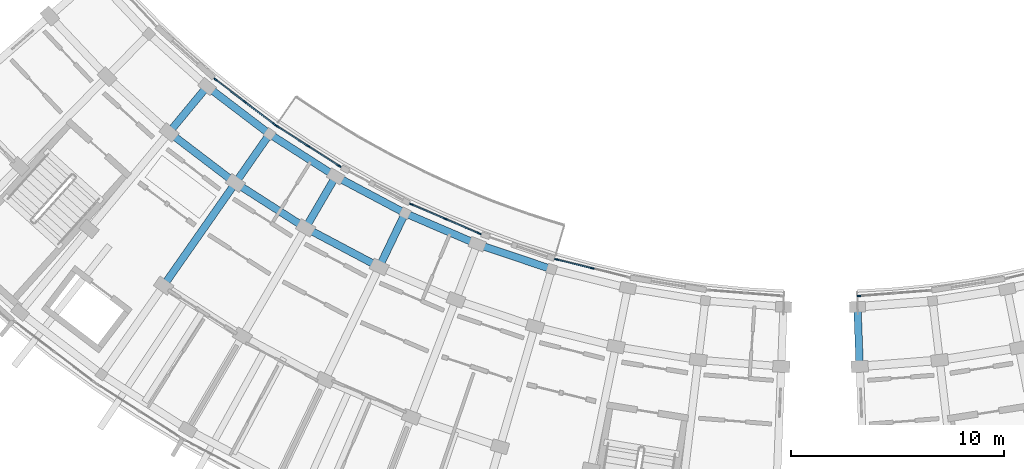
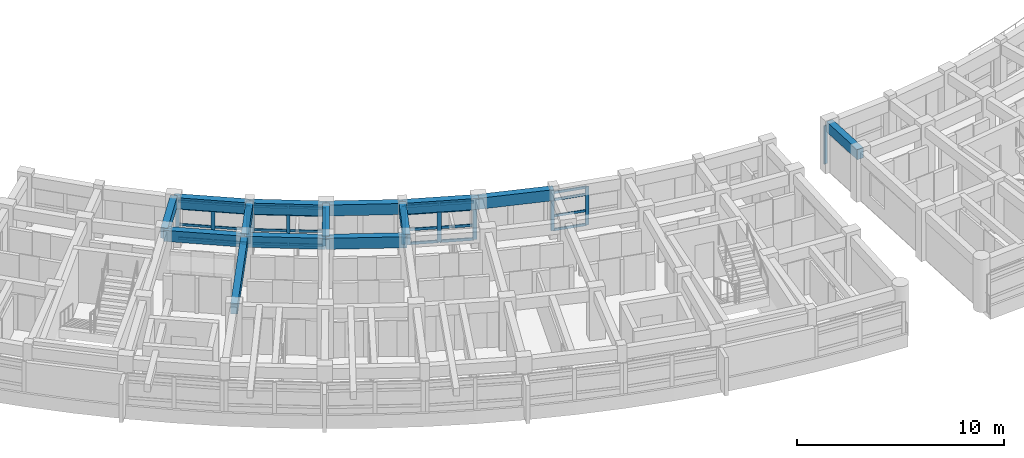
# One storey, part 13 of 56: 40 members, 14 beams, 5 elements without a shape of their own.
"""IFC4 building model written with IfcOpenShell, lengths in metres."""

from ifc_helpers import new_model, si_unit, direction, frame, origin, origin_2d, place, context, subcontext, project, spatial, rectangle, extrude, material, material_profile, profile_set, type_object, element, aggregate, save


model = new_model("IFC4")

# Units and contexts
model_context = context("Model", 3, precision=1e-05, world=origin(), true_north=direction((0.0, 1.0)))
body_context = subcontext(model_context, "Body", "Model", "MODEL_VIEW")
ifc_project = project(units=[si_unit("LENGTHUNIT", "METRE"), si_unit("AREAUNIT", "SQUARE_METRE"), si_unit("VOLUMEUNIT", "CUBIC_METRE"), si_unit("PLANEANGLEUNIT", "RADIAN"), si_unit("MASSUNIT", "GRAM", prefix="KILO")], contexts=[model_context])

# Site, building, storey
site_placement = place(None, origin())
site = spatial("IfcSite", under=ifc_project, at=site_placement, CompositionType="ELEMENT")
building_placement = place(site_placement, origin())
building = spatial("IfcBuilding", under=site, at=building_placement, Name="Zimvara Arc Housing Community", CompositionType="ELEMENT")
storey_placement = place(building_placement, frame((0.0, 0.0, 17.39990234375)))
storey = spatial("IfcBuildingStorey", under=building, at=storey_placement, Name="L05", CompositionType="ELEMENT", Elevation=17.39990234375)

# Beams
ifc_material_1 = material(Name="Concrete C40/50", Category="concrete")
ifc_material_profile_1 = material_profile(ifc_material_1, rectangle(XDim=0.35009765625, YDim=0.60009765625, at=origin_2d()), Name="RC 350x600")
ifc_profile_set_1 = profile_set([ifc_material_profile_1], Name="Concrete C40/50")
beam_type_1 = type_object("IfcBeamType", Name="BM-RC-350x600", PredefinedType="BEAM", material=ifc_profile_set_1)
beam_1_placement = place(storey_placement, frame((97.195068359375, 75.114501953125, 2.570068359375), z_axis=(-0.637917412223, -0.770104781951, 0.0), x_axis=(0.770104781951, -0.637917412223, 0.0)))
element("IfcBeam", 1, at=beam_1_placement, inside=storey, type_object=beam_type_1, Name="bm:blkC:L05:rad:b2:r01", PredefinedType="BEAM", context=body_context, shape_type="SweptSolid", body=[
    extrude(rectangle(XDim=0.35009765625, YDim=0.60009765625, at=origin_2d()), origin(), (0.0, 0.0, 1.0), 2.800048828125),
])
beam_2_placement = place(storey_placement, frame((100.1259765625, 72.8818359375, 2.570068359375), z_axis=(-0.57297651105, -0.819571789281, 0.0), x_axis=(0.819571789281, -0.57297651105, 0.0)))
element("IfcBeam", 2, at=beam_2_placement, inside=storey, type_object=beam_type_1, Name="bm:blkC:L05:rad:b3:r01", PredefinedType="BEAM", context=body_context, shape_type="SweptSolid", body=[
    extrude(rectangle(XDim=0.35009765625, YDim=0.60009765625, at=origin_2d()), origin(), (0.0, 0.0, 1.0), 2.7998046875),
])
beam_3_placement = place(storey_placement, frame((98.521728515625, 70.587158203125, 2.570068359375), z_axis=(-0.57300805165, -0.81954973781, 0.0), x_axis=(0.81954973781, -0.57300805165, 0.0)))
element("IfcBeam", 3, at=beam_3_placement, inside=storey, type_object=beam_type_1, Name="bm:blkC:L05:rad:b3:r12", PredefinedType="BEAM", context=body_context, shape_type="SweptSolid", body=[
    extrude(rectangle(XDim=0.35009765625, YDim=0.60009765625, at=origin_2d()), origin(), (0.0, 0.0, 1.0), 5.880126953125),
])
beam_4_placement = place(storey_placement, frame((103.229248046875, 70.895751953125, 2.570068359375), z_axis=(-0.504201666262, -0.8635859423, 0.0), x_axis=(0.8635859423, -0.504201666262, 0.0)))
element("IfcBeam", 4, at=beam_4_placement, inside=storey, type_object=beam_type_1, Name="bm:blkC:L05:rad:b4:r01", PredefinedType="BEAM", context=body_context, shape_type="SweptSolid", body=[
    extrude(rectangle(XDim=0.35009765625, YDim=0.60009765625, at=origin_2d()), origin(), (0.0, 0.0, 1.0), 2.80029296875),
])
beam_5_placement = place(storey_placement, frame((106.484375, 69.16943359375, 2.570068359375), z_axis=(-0.432118703138, -0.901816736593, 0.0), x_axis=(0.901816736593, -0.432118703138, 0.0)))
element("IfcBeam", 5, at=beam_5_placement, inside=storey, type_object=beam_type_1, Name="bm:blkC:L05:rad:b5:r01", PredefinedType="BEAM", context=body_context, shape_type="SweptSolid", body=[
    extrude(rectangle(XDim=0.35009765625, YDim=0.60009765625, at=origin_2d()), origin(), (0.0, 0.0, 1.0), 2.800048828125),
])
beam_6_placement = place(storey_placement, frame((127.712158203125, 64.773193359375, 2.570068359375), z_axis=(0.038366147405, -0.999263748333, 0.0), x_axis=(0.999263748333, 0.038366147405, 0.0)))
element("IfcBeam", 6, at=beam_6_placement, inside=storey, type_object=beam_type_1, Name="bm:blkD:L05:rad:b0:r01", PredefinedType="BEAM", context=body_context, shape_type="SweptSolid", body=[
    extrude(rectangle(XDim=0.35009765625, YDim=0.60009765625, at=origin_2d()), origin(), (0.0, 0.0, 1.0), 2.7998046875),
])
ifc_material_2 = material(Name="Concrete C40/50", Category="concrete")
ifc_material_profile_2 = material_profile(ifc_material_2, rectangle(XDim=0.35009765625, YDim=0.64990234375, at=origin_2d()), Name="RC 350x650")
ifc_profile_set_2 = profile_set([ifc_material_profile_2], Name="Concrete C40/50")
beam_type_2 = type_object("IfcBeamType", Name="BM-RC-350x650", PredefinedType="BEAM", material=ifc_profile_set_2)
for number, where, z_axis, x_axis, name in (
    (7, (97.195068359375, 75.114501953125, 2.545166015625), (0.795484955371, -0.605973337515, 0.0), (0.605973337515, 0.795484955371, 0.0), "bm:blkC:L05:chord:r0:b2"),
    (8, (100.1259765625, 72.8818359375, 2.545166015625), (0.842272604079, -0.539051816079, 0.0), (0.539051816079, 0.842272604079, 0.0), "bm:blkC:L05:chord:r0:b3"),
):
    element("IfcBeam", number, at=place(storey_placement, frame(where, z_axis=z_axis, x_axis=x_axis)), inside=storey, type_object=beam_type_2, Name=name, PredefinedType="BEAM", context=body_context, shape_type="SweptSolid", body=[
        extrude(rectangle(XDim=0.35009765625, YDim=0.64990234375, at=origin_2d()), origin(), (0.0, 0.0, 1.0), 3.684326171875),
    ])
for number, where, z_axis, x_axis, name in (
    (9, (103.229248046875, 70.895751953125, 2.545166015625), (0.883449220086, -0.468526920815, 0.0), (0.468526920815, 0.883449220086, 0.0), "bm:blkC:L05:chord:r0:b4"),
    (10, (106.484375, 69.16943359375, 2.545166015625), (0.918716071386, -0.394918700718, 0.0), (0.394918700718, 0.918716071386, 0.0), "bm:blkC:L05:chord:r0:b5"),
):
    element("IfcBeam", number, at=place(storey_placement, frame(where, z_axis=z_axis, x_axis=x_axis)), inside=storey, type_object=beam_type_2, Name=name, PredefinedType="BEAM", context=body_context, shape_type="SweptSolid", body=[
        extrude(rectangle(XDim=0.35009765625, YDim=0.64990234375, at=origin_2d()), origin(), (0.0, 0.0, 1.0), 3.6845703125),
    ])
beam_7_placement = place(storey_placement, frame((109.869384765625, 67.71435546875, 2.545166015625), z_axis=(0.947865078275, -0.31867192124, 0.0), x_axis=(0.31867192124, 0.947865078275, 0.0)))
element("IfcBeam", 11, at=beam_7_placement, inside=storey, type_object=beam_type_2, Name="bm:blkC:L05:chord:r0:b6", PredefinedType="BEAM", context=body_context, shape_type="SweptSolid", body=[
    extrude(rectangle(XDim=0.35009765625, YDim=0.64990234375, at=origin_2d()), origin(), (0.0, 0.0, 1.0), 3.684326171875),
])
for number, where, z_axis, x_axis, name in (
    (12, (95.408935546875, 72.958251953125, 2.545166015625), (0.795500462697, -0.605952979899, 0.0), (0.605952979899, 0.795500462697, 0.0), "bm:blkC:L05:chord:r1:b2"),
    (13, (98.521728515625, 70.587158203125, 2.545166015625), (0.842224940184, -0.53912628403, 0.0), (0.53912628403, 0.842224940184, 0.0), "bm:blkC:L05:chord:r1:b3"),
    (14, (101.8173828125, 68.4775390625, 2.545166015625), (0.883464449706, -0.468498202884, 0.0), (0.468498202884, 0.883464449706, 0.0), "bm:blkC:L05:chord:r1:b4"),
):
    element("IfcBeam", number, at=place(storey_placement, frame(where, z_axis=z_axis, x_axis=x_axis)), inside=storey, type_object=beam_type_2, Name=name, PredefinedType="BEAM", context=body_context, shape_type="SweptSolid", body=[
        extrude(rectangle(XDim=0.35009765625, YDim=0.64990234375, at=origin_2d()), origin(), (0.0, 0.0, 1.0), 3.9130859375),
    ])

# Curtain wall, members
ifc_material_3 = material(Name="Anodised Aluminium AW-6063", Category="aluminium")
curtain_wall_type_1 = type_object("IfcCurtainWallType", Name="CW-SYS-02", PredefinedType="USERDEFINED", material=ifc_material_3)
curtain_wall_1_placement = place(storey_placement, origin())
curtain_wall_1 = element("IfcCurtainWall", 15, at=curtain_wall_1_placement, inside=storey, type_object=curtain_wall_type_1, Name="cw:blkC:L05:in:b2", ObjectType="CURTAIN WALL", PredefinedType="USERDEFINED")
ifc_material_4 = material(Name="Anodised Aluminium AW-6063", Category="aluminium")
ifc_material_profile_3 = material_profile(ifc_material_4, rectangle(XDim=0.06494140625, YDim=0.179931640625, at=origin_2d()), Name="ALU 65x180")
ifc_profile_set_3 = profile_set([ifc_material_profile_3], Name="Anodised Aluminium AW-6063")
member_type_1 = type_object("IfcMemberType", Name="CWM-65x150", PredefinedType="MULLION", material=ifc_profile_set_3)
member_1_placement = place(storey_placement, frame((97.587646484375, 75.443603515625, 0.0), z_axis=(0.0, 0.0, 1.0), x_axis=(0.605988318533, 0.795473543119, 0.0)))
member_1 = element("IfcMember", 16, at=member_1_placement, type_object=member_type_1, Name="CW02 mullion 1", PredefinedType="MULLION", context=body_context, shape_type="SweptSolid", body=[
    extrude(rectangle(XDim=0.06494140625, YDim=0.179931640625, at=origin_2d()), origin(), (0.0, 0.0, 1.0), 2.25),
])
member_2_placement = place(storey_placement, frame((98.96337890625, 74.3955078125, 0.0), z_axis=(0.0, 0.0, 1.0), x_axis=(0.605988318533, 0.795473543119, 0.0)))
member_2 = element("IfcMember", 17, at=member_2_placement, type_object=member_type_1, Name="CW02 mullion 2", PredefinedType="MULLION", context=body_context, shape_type="SweptSolid", body=[
    extrude(rectangle(XDim=0.06494140625, YDim=0.179931640625, at=origin_2d()), origin(), (0.0, 0.0, 1.0), 2.25),
])
member_3_placement = place(storey_placement, frame((100.3388671875, 73.34765625, 0.0), z_axis=(0.0, 0.0, 1.0), x_axis=(0.605988318533, 0.795473543119, 0.0)))
member_3 = element("IfcMember", 18, at=member_3_placement, type_object=member_type_1, Name="CW02 mullion 3", PredefinedType="MULLION", context=body_context, shape_type="SweptSolid", body=[
    extrude(rectangle(XDim=0.06494140625, YDim=0.179931640625, at=origin_2d()), origin(), (0.0, 0.0, 1.0), 2.25),
])

ifc_material_5 = material(Name="Anodised Aluminium AW-6063", Category="aluminium")
curtain_wall_type_2 = type_object("IfcCurtainWallType", Name="CW-SYS-04", PredefinedType="USERDEFINED", material=ifc_material_5)
curtain_wall_2_placement = place(storey_placement, origin())
curtain_wall_2 = element("IfcCurtainWall", 19, at=curtain_wall_2_placement, inside=storey, type_object=curtain_wall_type_2, Name="cw:blkC:L05:in:b3", ObjectType="CURTAIN WALL", PredefinedType="USERDEFINED")
member_4_placement = place(storey_placement, frame((100.490478515625, 73.24169921875, 0.0), z_axis=(0.0, 0.0, 1.0), x_axis=(0.539064085203, 0.842264751752, 0.0)))
member_4 = element("IfcMember", 20, at=member_4_placement, type_object=member_type_1, Name="CW04 mullion 1", PredefinedType="MULLION", context=body_context, shape_type="SweptSolid", body=[
    extrude(rectangle(XDim=0.06494140625, YDim=0.179931640625, at=origin_2d()), origin(), (0.0, 0.0, 1.0), 2.25),
])
member_5_placement = place(storey_placement, frame((101.947021484375, 72.3095703125, 0.0), z_axis=(0.0, 0.0, 1.0), x_axis=(0.539064085203, 0.842264751752, 0.0)))
member_5 = element("IfcMember", 21, at=member_5_placement, type_object=member_type_1, Name="CW04 mullion 2", PredefinedType="MULLION", context=body_context, shape_type="SweptSolid", body=[
    extrude(rectangle(XDim=0.06494140625, YDim=0.179931640625, at=origin_2d()), origin(), (0.0, 0.0, 1.0), 2.25),
])
member_6_placement = place(storey_placement, frame((103.403564453125, 71.377197265625, 0.0), z_axis=(0.0, 0.0, 1.0), x_axis=(0.539064085203, 0.842264751752, 0.0)))
member_6 = element("IfcMember", 22, at=member_6_placement, type_object=member_type_1, Name="CW04 mullion 3", PredefinedType="MULLION", context=body_context, shape_type="SweptSolid", body=[
    extrude(rectangle(XDim=0.06494140625, YDim=0.179931640625, at=origin_2d()), origin(), (0.0, 0.0, 1.0), 2.25),
])

curtain_wall_3_placement = place(storey_placement, origin())
curtain_wall_3 = element("IfcCurtainWall", 23, at=curtain_wall_3_placement, inside=storey, type_object=curtain_wall_type_1, Name="cw:blkC:L05:in:b7", ObjectType="CURTAIN WALL", PredefinedType="USERDEFINED")
member_7_placement = place(storey_placement, frame((113.59130859375, 66.998291015625, 0.0), z_axis=(0.0, 0.0, 1.0), x_axis=(0.240227815706, 0.970716537698, 0.0)))
member_7 = element("IfcMember", 24, at=member_7_placement, type_object=member_type_1, Name="CW02 mullion 1", PredefinedType="MULLION", context=body_context, shape_type="SweptSolid", body=[
    extrude(rectangle(XDim=0.06494140625, YDim=0.179931640625, at=origin_2d()), origin(), (0.0, 0.0, 1.0), 2.25),
])
member_8_placement = place(storey_placement, frame((115.27001953125, 66.582763671875, 0.0), z_axis=(0.0, 0.0, 1.0), x_axis=(0.240227815706, 0.970716537698, 0.0)))
member_8 = element("IfcMember", 25, at=member_8_placement, type_object=member_type_1, Name="CW02 mullion 2", PredefinedType="MULLION", context=body_context, shape_type="SweptSolid", body=[
    extrude(rectangle(XDim=0.06494140625, YDim=0.179931640625, at=origin_2d()), origin(), (0.0, 0.0, 1.0), 2.25),
])

# Curtain wall, member
ifc_material_6 = material(Name="Anodised Aluminium AW-6063", Category="aluminium")
curtain_wall_type_3 = type_object("IfcCurtainWallType", Name="CW-SYS-08", PredefinedType="USERDEFINED", material=ifc_material_6)
curtain_wall_4_placement = place(storey_placement, origin())
curtain_wall_4 = element("IfcCurtainWall", 26, at=curtain_wall_4_placement, inside=storey, type_object=curtain_wall_type_3, Name="cw:blkD:L05:in:b0", ObjectType="CURTAIN WALL", PredefinedType="USERDEFINED")
member_9_placement = place(storey_placement, frame((127.78515625, 65.280029296875, 0.0), z_axis=(0.0, 0.0, 1.0), x_axis=(-0.077590099579, 0.996985344149, 0.0)))
member_9 = element("IfcMember", 27, at=member_9_placement, type_object=member_type_1, Name="CW08 mullion 1", PredefinedType="MULLION", context=body_context, shape_type="SweptSolid", body=[
    extrude(rectangle(XDim=0.06494140625, YDim=0.179931640625, at=origin_2d()), origin(), (0.0, 0.0, 1.0), 2.25),
])
aggregate(curtain_wall_4, [member_9])

# Curtain wall, members
ifc_material_7 = material(Name="Anodised Aluminium AW-6063", Category="aluminium")
curtain_wall_type_4 = type_object("IfcCurtainWallType", Name="CW-SYS-07", PredefinedType="USERDEFINED", material=ifc_material_7)
curtain_wall_5_placement = place(storey_placement, origin())
curtain_wall_5 = element("IfcCurtainWall", 28, at=curtain_wall_5_placement, inside=storey, type_object=curtain_wall_type_4, Name="cw:blkC:L05:in:b5", ObjectType="CURTAIN WALL", PredefinedType="USERDEFINED")
ifc_material_8 = material(Name="Anodised Aluminium AW-6063", Category="aluminium")
ifc_material_profile_4 = material_profile(ifc_material_8, rectangle(XDim=0.06494140625, YDim=0.195068359375, at=origin_2d()), Name="ALU 65x195")
ifc_profile_set_4 = profile_set([ifc_material_profile_4], Name="Anodised Aluminium AW-6063")
member_type_2 = type_object("IfcMemberType", Name="CWM-65x180", PredefinedType="MULLION", material=ifc_profile_set_4)
member_10_placement = place(storey_placement, frame((106.785400390625, 69.583740234375, 0.0), z_axis=(0.0, 0.0, 1.0), x_axis=(0.394904493375, 0.918722178415, 0.0)))
member_10 = element("IfcMember", 29, at=member_10_placement, type_object=member_type_2, Name="CW07 mullion 1", PredefinedType="MULLION", context=body_context, shape_type="SweptSolid", body=[
    extrude(rectangle(XDim=0.06494140625, YDim=0.195068359375, at=origin_2d()), origin(), (0.0, 0.0, 1.0), 2.25),
])
member_11_placement = place(storey_placement, frame((108.3740234375, 68.90087890625, 0.0), z_axis=(0.0, 0.0, 1.0), x_axis=(0.394904493375, 0.918722178415, 0.0)))
member_11 = element("IfcMember", 30, at=member_11_placement, type_object=member_type_2, Name="CW07 mullion 2", PredefinedType="MULLION", context=body_context, shape_type="SweptSolid", body=[
    extrude(rectangle(XDim=0.06494140625, YDim=0.195068359375, at=origin_2d()), origin(), (0.0, 0.0, 1.0), 2.25),
])
member_12_placement = place(storey_placement, frame((109.962890625, 68.2177734375, 0.0), z_axis=(0.0, 0.0, 1.0), x_axis=(0.394904493375, 0.918722178415, 0.0)))
member_12 = element("IfcMember", 31, at=member_12_placement, type_object=member_type_2, Name="CW07 mullion 3", PredefinedType="MULLION", context=body_context, shape_type="SweptSolid", body=[
    extrude(rectangle(XDim=0.06494140625, YDim=0.195068359375, at=origin_2d()), origin(), (0.0, 0.0, 1.0), 2.25),
])

# Member
ifc_material_9 = material(Name="Anodised Aluminium AW-6063", Category="aluminium")
ifc_material_profile_5 = material_profile(ifc_material_9, rectangle(XDim=0.06494140625, YDim=0.139892578125, at=origin_2d()), Name="ALU 65x140")
ifc_profile_set_5 = profile_set([ifc_material_profile_5], Name="Anodised Aluminium AW-6063")
member_type_3 = type_object("IfcMemberType", Name="CWT-65x120", PredefinedType="USERDEFINED", material=ifc_profile_set_5)
member_13_placement = place(storey_placement, frame((97.613525390625, 75.423828125, 0.03271484375), z_axis=(0.795488960577, -0.605968079687, 0.0), x_axis=(0.605968079687, 0.795488960577, 0.0)))
member_13 = element("IfcMember", 32, at=member_13_placement, type_object=member_type_3, Name="CW02 transom 1.1", ObjectType="TRANSOM", PredefinedType="USERDEFINED", context=body_context, shape_type="SweptSolid", body=[
    extrude(rectangle(XDim=0.06494140625, YDim=0.139892578125, at=origin_2d()), origin(), (0.0, 0.0, 1.0), 1.664306640625),
])

member_14_placement = place(storey_placement, frame((97.613525390625, 75.423828125, 0.85009765625), z_axis=(0.795488960577, -0.605968079687, 0.0), x_axis=(0.605968079687, 0.795488960577, 0.0)))
member_14 = element("IfcMember", 33, at=member_14_placement, type_object=member_type_3, Name="CW02 transom 1.2", ObjectType="TRANSOM", PredefinedType="USERDEFINED", context=body_context, shape_type="SweptSolid", body=[
    extrude(rectangle(XDim=0.06494140625, YDim=0.139892578125, at=origin_2d()), origin(), (0.0, 0.0, 1.0), 1.664306640625),
])

member_15_placement = place(storey_placement, frame((97.613525390625, 75.423828125, 1.800048828125), z_axis=(0.795488960577, -0.605968079687, 0.0), x_axis=(0.605968079687, 0.795488960577, 0.0)))
member_15 = element("IfcMember", 34, at=member_15_placement, type_object=member_type_3, Name="CW02 transom 1.3", ObjectType="TRANSOM", PredefinedType="USERDEFINED", context=body_context, shape_type="SweptSolid", body=[
    extrude(rectangle(XDim=0.06494140625, YDim=0.139892578125, at=origin_2d()), origin(), (0.0, 0.0, 1.0), 1.664306640625),
])

member_16_placement = place(storey_placement, frame((97.613525390625, 75.423828125, 2.217529296875), z_axis=(0.795488960577, -0.605968079687, 0.0), x_axis=(0.605968079687, 0.795488960577, 0.0)))
member_16 = element("IfcMember", 35, at=member_16_placement, type_object=member_type_3, Name="CW02 transom 1.4", ObjectType="TRANSOM", PredefinedType="USERDEFINED", context=body_context, shape_type="SweptSolid", body=[
    extrude(rectangle(XDim=0.06494140625, YDim=0.139892578125, at=origin_2d()), origin(), (0.0, 0.0, 1.0), 1.664306640625),
])

member_17_placement = place(storey_placement, frame((98.9892578125, 74.3759765625, 0.03271484375), z_axis=(0.795435087713, -0.606038795157, 0.0), x_axis=(0.606038795157, 0.795435087713, 0.0)))
member_17 = element("IfcMember", 36, at=member_17_placement, type_object=member_type_3, Name="CW02 transom 2.1", ObjectType="TRANSOM", PredefinedType="USERDEFINED", context=body_context, shape_type="SweptSolid", body=[
    extrude(rectangle(XDim=0.06494140625, YDim=0.139892578125, at=origin_2d()), origin(), (0.0, 0.0, 1.0), 1.6640625),
])

member_18_placement = place(storey_placement, frame((98.9892578125, 74.3759765625, 0.85009765625), z_axis=(0.795435087713, -0.606038795157, 0.0), x_axis=(0.606038795157, 0.795435087713, 0.0)))
member_18 = element("IfcMember", 37, at=member_18_placement, type_object=member_type_3, Name="CW02 transom 2.2", ObjectType="TRANSOM", PredefinedType="USERDEFINED", context=body_context, shape_type="SweptSolid", body=[
    extrude(rectangle(XDim=0.06494140625, YDim=0.139892578125, at=origin_2d()), origin(), (0.0, 0.0, 1.0), 1.6640625),
])

member_19_placement = place(storey_placement, frame((98.9892578125, 74.3759765625, 1.800048828125), z_axis=(0.795435087713, -0.606038795157, 0.0), x_axis=(0.606038795157, 0.795435087713, 0.0)))
member_19 = element("IfcMember", 38, at=member_19_placement, type_object=member_type_3, Name="CW02 transom 2.3", ObjectType="TRANSOM", PredefinedType="USERDEFINED", context=body_context, shape_type="SweptSolid", body=[
    extrude(rectangle(XDim=0.06494140625, YDim=0.139892578125, at=origin_2d()), origin(), (0.0, 0.0, 1.0), 1.6640625),
])

member_20_placement = place(storey_placement, frame((98.9892578125, 74.3759765625, 2.217529296875), z_axis=(0.795435087713, -0.606038795157, 0.0), x_axis=(0.606038795157, 0.795435087713, 0.0)))
member_20 = element("IfcMember", 39, at=member_20_placement, type_object=member_type_3, Name="CW02 transom 2.4", ObjectType="TRANSOM", PredefinedType="USERDEFINED", context=body_context, shape_type="SweptSolid", body=[
    extrude(rectangle(XDim=0.06494140625, YDim=0.139892578125, at=origin_2d()), origin(), (0.0, 0.0, 1.0), 1.6640625),
])

aggregate(curtain_wall_1, [member_1, member_2, member_3, member_13, member_14, member_15, member_16, member_17, member_18, member_19, member_20])

member_21_placement = place(storey_placement, frame((100.517822265625, 73.22412109375, 0.03271484375), z_axis=(0.842263408668, -0.539066183709, 0.0), x_axis=(0.539066183709, 0.842263408668, 0.0)))
member_21 = element("IfcMember", 40, at=member_21_placement, type_object=member_type_3, Name="CW04 transom 1.1", ObjectType="TRANSOM", PredefinedType="USERDEFINED", context=body_context, shape_type="SweptSolid", body=[
    extrude(rectangle(XDim=0.06494140625, YDim=0.139892578125, at=origin_2d()), origin(), (0.0, 0.0, 1.0), 1.664306640625),
])

member_22_placement = place(storey_placement, frame((100.517822265625, 73.22412109375, 0.85009765625), z_axis=(0.842263408668, -0.539066183709, 0.0), x_axis=(0.539066183709, 0.842263408668, 0.0)))
member_22 = element("IfcMember", 41, at=member_22_placement, type_object=member_type_3, Name="CW04 transom 1.2", ObjectType="TRANSOM", PredefinedType="USERDEFINED", context=body_context, shape_type="SweptSolid", body=[
    extrude(rectangle(XDim=0.06494140625, YDim=0.139892578125, at=origin_2d()), origin(), (0.0, 0.0, 1.0), 1.664306640625),
])

member_23_placement = place(storey_placement, frame((100.517822265625, 73.22412109375, 1.800048828125), z_axis=(0.842263408668, -0.539066183709, 0.0), x_axis=(0.539066183709, 0.842263408668, 0.0)))
member_23 = element("IfcMember", 42, at=member_23_placement, type_object=member_type_3, Name="CW04 transom 1.3", ObjectType="TRANSOM", PredefinedType="USERDEFINED", context=body_context, shape_type="SweptSolid", body=[
    extrude(rectangle(XDim=0.06494140625, YDim=0.139892578125, at=origin_2d()), origin(), (0.0, 0.0, 1.0), 1.664306640625),
])

member_24_placement = place(storey_placement, frame((100.517822265625, 73.22412109375, 2.217529296875), z_axis=(0.842263408668, -0.539066183709, 0.0), x_axis=(0.539066183709, 0.842263408668, 0.0)))
member_24 = element("IfcMember", 43, at=member_24_placement, type_object=member_type_3, Name="CW04 transom 1.4", ObjectType="TRANSOM", PredefinedType="USERDEFINED", context=body_context, shape_type="SweptSolid", body=[
    extrude(rectangle(XDim=0.06494140625, YDim=0.139892578125, at=origin_2d()), origin(), (0.0, 0.0, 1.0), 1.664306640625),
])

member_25_placement = place(storey_placement, frame((101.974365234375, 72.2919921875, 0.03271484375), z_axis=(0.842263408668, -0.539066183709, 0.0), x_axis=(0.539066183709, 0.842263408668, 0.0)))
member_25 = element("IfcMember", 44, at=member_25_placement, type_object=member_type_3, Name="CW04 transom 2.1", ObjectType="TRANSOM", PredefinedType="USERDEFINED", context=body_context, shape_type="SweptSolid", body=[
    extrude(rectangle(XDim=0.06494140625, YDim=0.139892578125, at=origin_2d()), origin(), (0.0, 0.0, 1.0), 1.664306640625),
])

member_26_placement = place(storey_placement, frame((101.974365234375, 72.2919921875, 0.85009765625), z_axis=(0.842263408668, -0.539066183709, 0.0), x_axis=(0.539066183709, 0.842263408668, 0.0)))
member_26 = element("IfcMember", 45, at=member_26_placement, type_object=member_type_3, Name="CW04 transom 2.2", ObjectType="TRANSOM", PredefinedType="USERDEFINED", context=body_context, shape_type="SweptSolid", body=[
    extrude(rectangle(XDim=0.06494140625, YDim=0.139892578125, at=origin_2d()), origin(), (0.0, 0.0, 1.0), 1.664306640625),
])

member_27_placement = place(storey_placement, frame((101.974365234375, 72.2919921875, 1.800048828125), z_axis=(0.842263408668, -0.539066183709, 0.0), x_axis=(0.539066183709, 0.842263408668, 0.0)))
member_27 = element("IfcMember", 46, at=member_27_placement, type_object=member_type_3, Name="CW04 transom 2.3", ObjectType="TRANSOM", PredefinedType="USERDEFINED", context=body_context, shape_type="SweptSolid", body=[
    extrude(rectangle(XDim=0.06494140625, YDim=0.139892578125, at=origin_2d()), origin(), (0.0, 0.0, 1.0), 1.664306640625),
])

member_28_placement = place(storey_placement, frame((101.974365234375, 72.2919921875, 2.217529296875), z_axis=(0.842263408668, -0.539066183709, 0.0), x_axis=(0.539066183709, 0.842263408668, 0.0)))
member_28 = element("IfcMember", 47, at=member_28_placement, type_object=member_type_3, Name="CW04 transom 2.4", ObjectType="TRANSOM", PredefinedType="USERDEFINED", context=body_context, shape_type="SweptSolid", body=[
    extrude(rectangle(XDim=0.06494140625, YDim=0.139892578125, at=origin_2d()), origin(), (0.0, 0.0, 1.0), 1.664306640625),
])

aggregate(curtain_wall_2, [member_4, member_5, member_6, member_21, member_22, member_23, member_24, member_25, member_26, member_27, member_28])

member_29_placement = place(storey_placement, frame((113.622802734375, 66.990478515625, 0.03271484375), z_axis=(0.970709278499, -0.2402571469, 0.0), x_axis=(0.2402571469, 0.970709278499, 0.0)))
member_29 = element("IfcMember", 48, at=member_29_placement, type_object=member_type_3, Name="CW02 transom 1.1", ObjectType="TRANSOM", PredefinedType="USERDEFINED", context=body_context, shape_type="SweptSolid", body=[
    extrude(rectangle(XDim=0.06494140625, YDim=0.139892578125, at=origin_2d()), origin(), (0.0, 0.0, 1.0), 1.66455078125),
])

member_30_placement = place(storey_placement, frame((113.622802734375, 66.990478515625, 0.85009765625), z_axis=(0.970709278499, -0.2402571469, 0.0), x_axis=(0.2402571469, 0.970709278499, 0.0)))
member_30 = element("IfcMember", 49, at=member_30_placement, type_object=member_type_3, Name="CW02 transom 1.2", ObjectType="TRANSOM", PredefinedType="USERDEFINED", context=body_context, shape_type="SweptSolid", body=[
    extrude(rectangle(XDim=0.06494140625, YDim=0.139892578125, at=origin_2d()), origin(), (0.0, 0.0, 1.0), 1.66455078125),
])

member_31_placement = place(storey_placement, frame((113.622802734375, 66.990478515625, 1.800048828125), z_axis=(0.970709278499, -0.2402571469, 0.0), x_axis=(0.2402571469, 0.970709278499, 0.0)))
member_31 = element("IfcMember", 50, at=member_31_placement, type_object=member_type_3, Name="CW02 transom 1.3", ObjectType="TRANSOM", PredefinedType="USERDEFINED", context=body_context, shape_type="SweptSolid", body=[
    extrude(rectangle(XDim=0.06494140625, YDim=0.139892578125, at=origin_2d()), origin(), (0.0, 0.0, 1.0), 1.66455078125),
])

member_32_placement = place(storey_placement, frame((113.622802734375, 66.990478515625, 2.217529296875), z_axis=(0.970709278499, -0.2402571469, 0.0), x_axis=(0.2402571469, 0.970709278499, 0.0)))
member_32 = element("IfcMember", 51, at=member_32_placement, type_object=member_type_3, Name="CW02 transom 1.4", ObjectType="TRANSOM", PredefinedType="USERDEFINED", context=body_context, shape_type="SweptSolid", body=[
    extrude(rectangle(XDim=0.06494140625, YDim=0.139892578125, at=origin_2d()), origin(), (0.0, 0.0, 1.0), 1.66455078125),
])

aggregate(curtain_wall_3, [member_7, member_8, member_29, member_30, member_31, member_32])

ifc_material_10 = material(Name="Anodised Aluminium AW-6063", Category="aluminium")
ifc_material_profile_6 = material_profile(ifc_material_10, rectangle(XDim=0.06494140625, YDim=0.155029296875, at=origin_2d()), Name="ALU 65x155")
ifc_profile_set_6 = profile_set([ifc_material_profile_6], Name="Anodised Aluminium AW-6063")
member_type_4 = type_object("IfcMemberType", Name="CWT-65x140", PredefinedType="USERDEFINED", material=ifc_profile_set_6)
member_33_placement = place(storey_placement, frame((106.815185546875, 69.57080078125, 0.03271484375), z_axis=(0.918727202972, -0.394892803832, 0.0), x_axis=(0.394892803832, 0.918727202972, 0.0)))
member_33 = element("IfcMember", 52, at=member_33_placement, type_object=member_type_4, Name="CW07 transom 1.1", ObjectType="TRANSOM", PredefinedType="USERDEFINED", context=body_context, shape_type="SweptSolid", body=[
    extrude(rectangle(XDim=0.06494140625, YDim=0.155029296875, at=origin_2d()), origin(), (0.0, 0.0, 1.0), 1.664306640625),
])

member_34_placement = place(storey_placement, frame((106.815185546875, 69.57080078125, 0.85009765625), z_axis=(0.918727202972, -0.394892803832, 0.0), x_axis=(0.394892803832, 0.918727202972, 0.0)))
member_34 = element("IfcMember", 53, at=member_34_placement, type_object=member_type_4, Name="CW07 transom 1.2", ObjectType="TRANSOM", PredefinedType="USERDEFINED", context=body_context, shape_type="SweptSolid", body=[
    extrude(rectangle(XDim=0.06494140625, YDim=0.155029296875, at=origin_2d()), origin(), (0.0, 0.0, 1.0), 1.664306640625),
])

member_35_placement = place(storey_placement, frame((106.815185546875, 69.57080078125, 1.800048828125), z_axis=(0.918727202972, -0.394892803832, 0.0), x_axis=(0.394892803832, 0.918727202972, 0.0)))
member_35 = element("IfcMember", 54, at=member_35_placement, type_object=member_type_4, Name="CW07 transom 1.3", ObjectType="TRANSOM", PredefinedType="USERDEFINED", context=body_context, shape_type="SweptSolid", body=[
    extrude(rectangle(XDim=0.06494140625, YDim=0.155029296875, at=origin_2d()), origin(), (0.0, 0.0, 1.0), 1.664306640625),
])

member_36_placement = place(storey_placement, frame((106.815185546875, 69.57080078125, 2.217529296875), z_axis=(0.918727202972, -0.394892803832, 0.0), x_axis=(0.394892803832, 0.918727202972, 0.0)))
member_36 = element("IfcMember", 55, at=member_36_placement, type_object=member_type_4, Name="CW07 transom 1.4", ObjectType="TRANSOM", PredefinedType="USERDEFINED", context=body_context, shape_type="SweptSolid", body=[
    extrude(rectangle(XDim=0.06494140625, YDim=0.155029296875, at=origin_2d()), origin(), (0.0, 0.0, 1.0), 1.664306640625),
])

member_37_placement = place(storey_placement, frame((108.40380859375, 68.887939453125, 0.03271484375), z_axis=(0.918727202972, -0.394892803832, 0.0), x_axis=(0.394892803832, 0.918727202972, 0.0)))
member_37 = element("IfcMember", 56, at=member_37_placement, type_object=member_type_4, Name="CW07 transom 2.1", ObjectType="TRANSOM", PredefinedType="USERDEFINED", context=body_context, shape_type="SweptSolid", body=[
    extrude(rectangle(XDim=0.06494140625, YDim=0.155029296875, at=origin_2d()), origin(), (0.0, 0.0, 1.0), 1.664306640625),
])

member_38_placement = place(storey_placement, frame((108.40380859375, 68.887939453125, 0.85009765625), z_axis=(0.918727202972, -0.394892803832, 0.0), x_axis=(0.394892803832, 0.918727202972, 0.0)))
member_38 = element("IfcMember", 57, at=member_38_placement, type_object=member_type_4, Name="CW07 transom 2.2", ObjectType="TRANSOM", PredefinedType="USERDEFINED", context=body_context, shape_type="SweptSolid", body=[
    extrude(rectangle(XDim=0.06494140625, YDim=0.155029296875, at=origin_2d()), origin(), (0.0, 0.0, 1.0), 1.664306640625),
])

member_39_placement = place(storey_placement, frame((108.40380859375, 68.887939453125, 1.800048828125), z_axis=(0.918727202972, -0.394892803832, 0.0), x_axis=(0.394892803832, 0.918727202972, 0.0)))
member_39 = element("IfcMember", 58, at=member_39_placement, type_object=member_type_4, Name="CW07 transom 2.3", ObjectType="TRANSOM", PredefinedType="USERDEFINED", context=body_context, shape_type="SweptSolid", body=[
    extrude(rectangle(XDim=0.06494140625, YDim=0.155029296875, at=origin_2d()), origin(), (0.0, 0.0, 1.0), 1.664306640625),
])

member_40_placement = place(storey_placement, frame((108.40380859375, 68.887939453125, 2.217529296875), z_axis=(0.918727202972, -0.394892803832, 0.0), x_axis=(0.394892803832, 0.918727202972, 0.0)))
member_40 = element("IfcMember", 59, at=member_40_placement, type_object=member_type_4, Name="CW07 transom 2.4", ObjectType="TRANSOM", PredefinedType="USERDEFINED", context=body_context, shape_type="SweptSolid", body=[
    extrude(rectangle(XDim=0.06494140625, YDim=0.155029296875, at=origin_2d()), origin(), (0.0, 0.0, 1.0), 1.664306640625),
])

aggregate(curtain_wall_5, [member_10, member_11, member_12, member_33, member_34, member_35, member_36, member_37, member_38, member_39, member_40])

save(model, "model.ifc")
